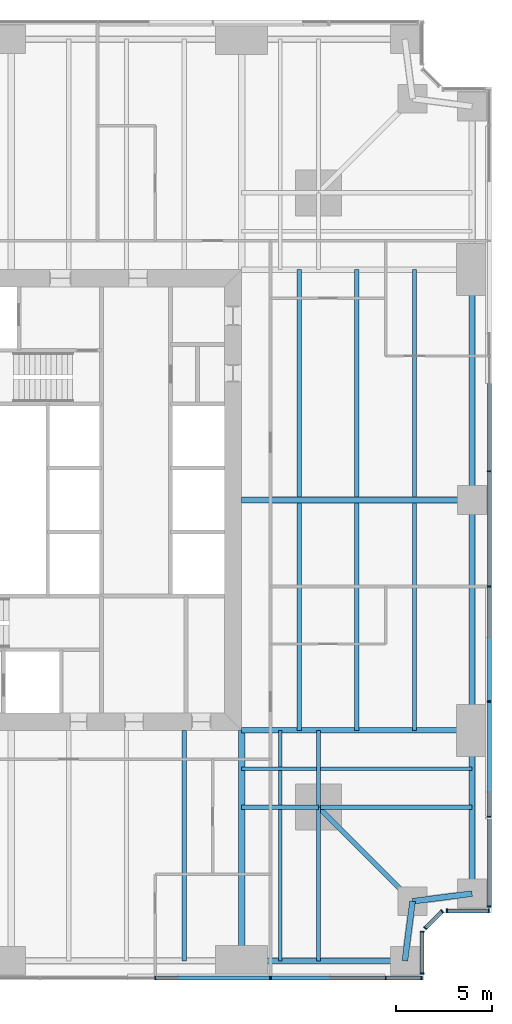
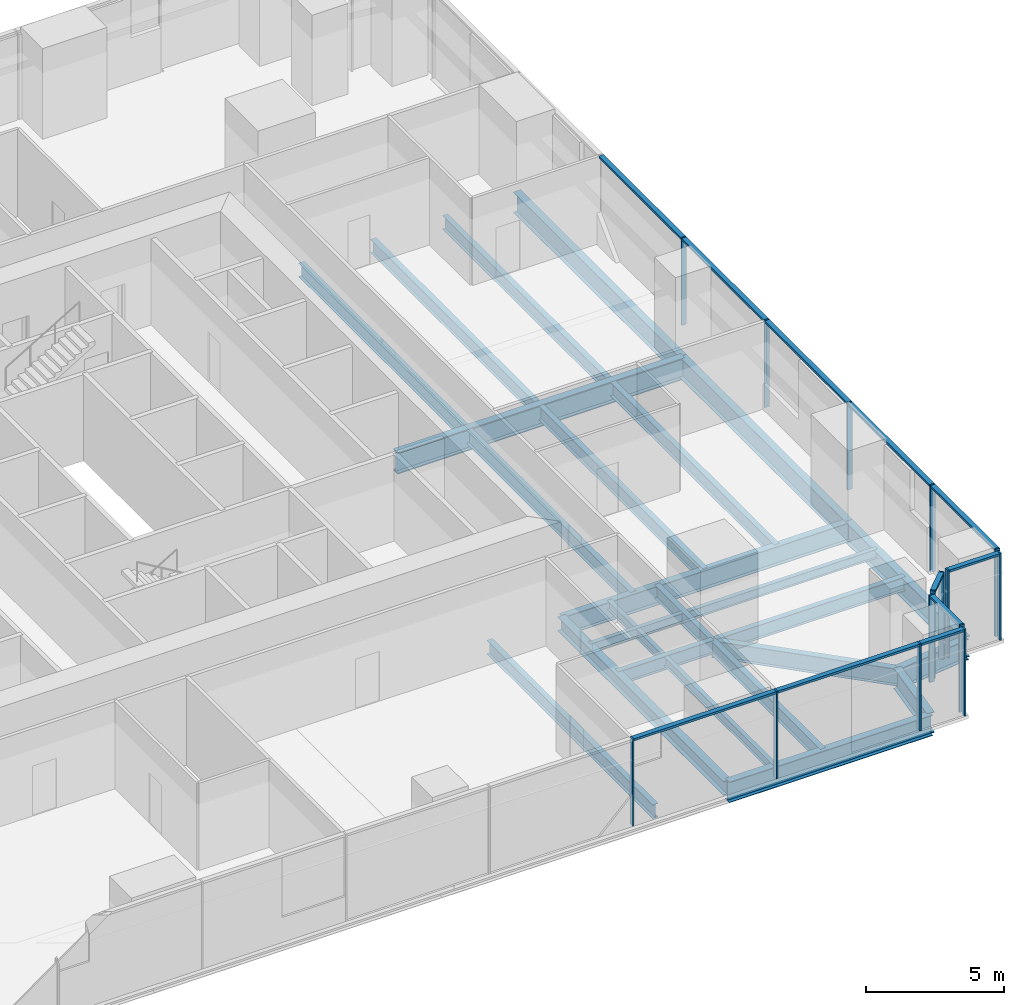
# One storey, part 5 of 15: 26 beams, 26 members, 5 elements without a shape of their own.
"""IFC4 building model written with IfcOpenShell, lengths in metres."""

from ifc_helpers import new_model, si_unit, direction, frame, origin, origin_2d, place, context, subcontext, project, spatial, rectangle, i_section, extrude, material, material_profile, profile_set, type_object, element, aggregate, save


model = new_model("IFC4")

# Units and contexts
model_context = context("Model", 3, precision=1e-05, world=origin(), true_north=direction((0.0, 1.0)))
body_context = subcontext(model_context, "Body", "Model", "MODEL_VIEW")
ifc_project = project(units=[si_unit("LENGTHUNIT", "METRE"), si_unit("AREAUNIT", "SQUARE_METRE"), si_unit("VOLUMEUNIT", "CUBIC_METRE"), si_unit("PLANEANGLEUNIT", "RADIAN"), si_unit("MASSUNIT", "GRAM", prefix="KILO")], contexts=[model_context])

# Site, building, storey
site_placement = place(None, origin())
site = spatial("IfcSite", under=ifc_project, at=site_placement, CompositionType="ELEMENT")
building_placement = place(site_placement, origin())
building = spatial("IfcBuilding", under=site, at=building_placement, Name="Fenwick Lantern Interchange", CompositionType="ELEMENT")
storey_placement = place(building_placement, frame((0.0, 0.0, 51.0)))
storey = spatial("IfcBuildingStorey", under=building, at=storey_placement, Name="L11", CompositionType="ELEMENT", Elevation=51.0)

# Beams
ifc_material_1 = material(Name="Steel ASTM A992 Grade 50", Category="steel")
ifc_material_profile_1 = material_profile(ifc_material_1, i_section(OverallWidth=0.3046875, OverallDepth=0.911865234375, WebThickness=0.015869140625, FlangeThickness=0.02392578125, at=origin_2d()), Name="W36X150")
ifc_profile_set_1 = profile_set([ifc_material_profile_1], Name="Steel ASTM A992 Grade 50")
beam_type_1 = type_object("IfcBeamType", Name="EDGE BEAM W36X150", PredefinedType="SPANDREL", material=ifc_profile_set_1)
beam_1_placement = place(storey_placement, frame((37.0, 1.0, -0.60595703125), z_axis=(1.0, 0.0, 0.0), x_axis=(0.0, 1.0, 0.0)))
element("IfcBeam", 1, at=beam_1_placement, inside=storey, type_object=beam_type_1, Name="L11/FR/S/EB4", PredefinedType="SPANDREL", context=body_context, shape_type="SweptSolid", body=[
    extrude(i_section(OverallWidth=0.3046875, OverallDepth=0.911865234375, WebThickness=0.015869140625, FlangeThickness=0.02392578125, at=origin_2d()), origin(), (0.0, 0.0, 1.0), 8.5),
])
for number, where, z_axis, x_axis, name in (
    (2, (45.5, 1.0, -0.60595703125), (0.127936641807, 0.991782342897, 0.0), (-0.991782342897, 0.127936641807, 0.0), "L11/FR/S/EBR1"),
    (3, (45.89990234375, 4.10009765625, -0.60595703125), (0.991782342897, 0.127936641807, 0.0), (-0.127936641807, 0.991782342897, 0.0), "L11/FR/S/EBR2"),
):
    element("IfcBeam", number, at=place(storey_placement, frame(where, z_axis=z_axis, x_axis=x_axis)), inside=storey, type_object=beam_type_1, Name=name, PredefinedType="SPANDREL", context=body_context, shape_type="SweptSolid", body=[
        extrude(i_section(OverallWidth=0.3046875, OverallDepth=0.911865234375, WebThickness=0.015869140625, FlangeThickness=0.02392578125, at=origin_2d()), origin(), (0.0, 0.0, 1.0), 3.125732421875),
    ])
beam_2_placement = place(storey_placement, frame((49.0, 4.5, -0.60595703125), z_axis=(0.0, 1.0, 0.0), x_axis=(-1.0, 0.0, 0.0)))
element("IfcBeam", 4, at=beam_2_placement, inside=storey, type_object=beam_type_1, Name="L11/FR/E/EB1", PredefinedType="SPANDREL", context=body_context, shape_type="SweptSolid", body=[
    extrude(i_section(OverallWidth=0.3046875, OverallDepth=0.911865234375, WebThickness=0.015869140625, FlangeThickness=0.02392578125, at=origin_2d()), origin(), (0.0, 0.0, 1.0), 8.5),
])
for number, where, z_axis, x_axis, name in (
    (5, (49.0, 13.0, -0.60595703125), (0.0, 1.0, 0.0), (-1.0, 0.0, 0.0), "L11/FR/E/EB2"),
    (6, (49.0, 25.0, -0.60595703125), (0.0, 1.0, 0.0), (-1.0, 0.0, 0.0), "L11/FR/E/EB3"),
):
    element("IfcBeam", number, at=place(storey_placement, frame(where, z_axis=z_axis, x_axis=x_axis)), inside=storey, type_object=beam_type_1, Name=name, PredefinedType="SPANDREL", context=body_context, shape_type="SweptSolid", body=[
        extrude(i_section(OverallWidth=0.3046875, OverallDepth=0.911865234375, WebThickness=0.015869140625, FlangeThickness=0.02392578125, at=origin_2d()), origin(), (0.0, 0.0, 1.0), 12.0),
    ])
ifc_material_profile_2 = material_profile(ifc_material_1, i_section(OverallWidth=0.22900390625, OverallDepth=0.612060546875, WebThickness=0.011962890625, FlangeThickness=0.01953125, at=origin_2d()), Name="W24X84")
ifc_profile_set_2 = profile_set([ifc_material_profile_2], Name="Steel ASTM A992 Grade 50")
beam_type_2 = type_object("IfcBeamType", Name="FLOOR BEAM W24X84", PredefinedType="BEAM", material=ifc_profile_set_2)
beam_3_placement = place(storey_placement, frame((34.0, 1.0, -0.4560546875), z_axis=(0.0, 1.0, 0.0), x_axis=(-1.0, 0.0, 0.0)))
element("IfcBeam", 7, at=beam_3_placement, inside=storey, type_object=beam_type_2, Name="L11/FR/S/R08", PredefinedType="BEAM", context=body_context, shape_type="SweptSolid", body=[
    extrude(i_section(OverallWidth=0.22900390625, OverallDepth=0.612060546875, WebThickness=0.011962890625, FlangeThickness=0.01953125, at=origin_2d()), origin(), (0.0, 0.0, 1.0), 12.0),
])
for number, where, z_axis, x_axis, name in (
    (8, (46.0, 13.0, -0.4560546875), (0.0, 1.0, 0.0), (-1.0, 0.0, 0.0), "L11/FR/E/B01"),
    (9, (43.0, 13.0, -0.4560546875), (0.0, 1.0, 0.0), (-1.0, 0.0, 0.0), "L11/FR/E/B02"),
    (10, (40.0, 13.0, -0.4560546875), (0.0, 1.0, 0.0), (-1.0, 0.0, 0.0), "L11/FR/E/B03"),
    (11, (46.0, 25.155029296875, -0.4560546875), (0.0, 1.0, 0.0), (-1.0, 0.0, 0.0), "L11/FR/E/B04"),
    (12, (43.0, 25.155029296875, -0.4560546875), (0.0, 1.0, 0.0), (-1.0, 0.0, 0.0), "L11/FR/E/B05"),
    (13, (40.0, 25.155029296875, -0.4560546875), (0.0, 1.0, 0.0), (-1.0, 0.0, 0.0), "L11/FR/E/B06"),
):
    element("IfcBeam", number, at=place(storey_placement, frame(where, z_axis=z_axis, x_axis=x_axis)), inside=storey, type_object=beam_type_2, Name=name, PredefinedType="BEAM", context=body_context, shape_type="SweptSolid", body=[
        extrude(i_section(OverallWidth=0.22900390625, OverallDepth=0.612060546875, WebThickness=0.011962890625, FlangeThickness=0.01953125, at=origin_2d()), origin(), (0.0, 0.0, 1.0), 11.844970703125),
    ])
ifc_material_profile_3 = material_profile(ifc_material_1, i_section(OverallWidth=0.177734375, OverallDepth=0.406494140625, WebThickness=0.0078125, FlangeThickness=0.012939453125, at=origin_2d()), Name="W16X40")
ifc_profile_set_3 = profile_set([ifc_material_profile_3], Name="Steel ASTM A992 Grade 50")
beam_type_3 = type_object("IfcBeamType", Name="INFILL BEAM W16X40", PredefinedType="JOIST", material=ifc_profile_set_3)
beam_4_placement = place(storey_placement, frame((49.0, 11.0, -0.353271484375), z_axis=(-1.0, 0.0, 0.0), x_axis=(0.0, -1.0, 0.0)))
element("IfcBeam", 14, at=beam_4_placement, inside=storey, type_object=beam_type_3, Name="L11/FR/E/J1", PredefinedType="JOIST", context=body_context, shape_type="SweptSolid", body=[
    extrude(i_section(OverallWidth=0.177734375, OverallDepth=0.406494140625, WebThickness=0.0078125, FlangeThickness=0.012939453125, at=origin_2d()), origin(), (0.0, 0.0, 1.0), 7.885498046875),
])
beam_5_placement = place(storey_placement, frame((40.885498046875, 11.0, -0.353271484375), z_axis=(-1.0, 0.0, 0.0), x_axis=(0.0, -1.0, 0.0)))
element("IfcBeam", 15, at=beam_5_placement, inside=storey, type_object=beam_type_3, Name="L11/FR/E/J2", PredefinedType="JOIST", context=body_context, shape_type="SweptSolid", body=[
    extrude(i_section(OverallWidth=0.177734375, OverallDepth=0.406494140625, WebThickness=0.0078125, FlangeThickness=0.012939453125, at=origin_2d()), origin(), (0.0, 0.0, 1.0), 3.885498046875),
])
beam_6_placement = place(storey_placement, frame((39.0, 1.0, -0.353271484375), z_axis=(0.0, 1.0, 0.0), x_axis=(-1.0, 0.0, 0.0)))
element("IfcBeam", 16, at=beam_6_placement, inside=storey, type_object=beam_type_3, Name="L11/FR/E/J3", PredefinedType="JOIST", context=body_context, shape_type="SweptSolid", body=[
    extrude(i_section(OverallWidth=0.177734375, OverallDepth=0.406494140625, WebThickness=0.0078125, FlangeThickness=0.012939453125, at=origin_2d()), origin(), (0.0, 0.0, 1.0), 7.885498046875),
])
beam_7_placement = place(storey_placement, frame((39.0, 9.114501953125, -0.353271484375), z_axis=(0.0, 1.0, 0.0), x_axis=(-1.0, 0.0, 0.0)))
element("IfcBeam", 17, at=beam_7_placement, inside=storey, type_object=beam_type_3, Name="L11/FR/E/J4", PredefinedType="JOIST", context=body_context, shape_type="SweptSolid", body=[
    extrude(i_section(OverallWidth=0.177734375, OverallDepth=0.406494140625, WebThickness=0.0078125, FlangeThickness=0.012939453125, at=origin_2d()), origin(), (0.0, 0.0, 1.0), 1.796630859375),
])
beam_8_placement = place(storey_placement, frame((39.0, 11.0888671875, -0.353271484375), z_axis=(0.0, 1.0, 0.0), x_axis=(-1.0, 0.0, 0.0)))
element("IfcBeam", 18, at=beam_8_placement, inside=storey, type_object=beam_type_3, Name="L11/FR/E/J5", PredefinedType="JOIST", context=body_context, shape_type="SweptSolid", body=[
    extrude(i_section(OverallWidth=0.177734375, OverallDepth=0.406494140625, WebThickness=0.0078125, FlangeThickness=0.012939453125, at=origin_2d()), origin(), (0.0, 0.0, 1.0), 1.9111328125),
])
ifc_material_profile_4 = material_profile(ifc_material_1, i_section(OverallWidth=0.22900390625, OverallDepth=0.612060546875, WebThickness=0.011962890625, FlangeThickness=0.01953125, at=origin_2d()), Name="W24X84")
ifc_profile_set_4 = profile_set([ifc_material_profile_4], Name="Steel ASTM A992 Grade 50")
beam_type_4 = type_object("IfcBeamType", Name="MEGA COLUMN BEAM W24X84", PredefinedType="BEAM", material=ifc_profile_set_4)
for number, where, z_axis, x_axis, name in (
    (19, (41.0, 9.0, -0.4560546875), (1.0, 0.0, 0.0), (0.0, 1.0, 0.0), "L11/FR/E/MB1"),
    (20, (41.0, 9.0, -0.4560546875), (0.0, -1.0, 0.0), (1.0, 0.0, 0.0), "L11/FR/E/MB2"),
):
    element("IfcBeam", number, at=place(storey_placement, frame(where, z_axis=z_axis, x_axis=x_axis)), inside=storey, type_object=beam_type_4, Name=name, PredefinedType="BEAM", context=body_context, shape_type="SweptSolid", body=[
        extrude(i_section(OverallWidth=0.22900390625, OverallDepth=0.612060546875, WebThickness=0.011962890625, FlangeThickness=0.01953125, at=origin_2d()), origin(), (0.0, 0.0, 1.0), 8.0),
    ])
for number, where, z_axis, x_axis, name in (
    (21, (41.0, 9.0, -0.4560546875), (0.0, 1.0, 0.0), (-1.0, 0.0, 0.0), "L11/FR/E/MB3"),
    (22, (41.0, 9.0, -0.4560546875), (-1.0, 0.0, 0.0), (0.0, -1.0, 0.0), "L11/FR/E/MB4"),
):
    element("IfcBeam", number, at=place(storey_placement, frame(where, z_axis=z_axis, x_axis=x_axis)), inside=storey, type_object=beam_type_4, Name=name, PredefinedType="BEAM", context=body_context, shape_type="SweptSolid", body=[
        extrude(i_section(OverallWidth=0.22900390625, OverallDepth=0.612060546875, WebThickness=0.011962890625, FlangeThickness=0.01953125, at=origin_2d()), origin(), (0.0, 0.0, 1.0), 4.0),
    ])
ifc_material_profile_5 = material_profile(ifc_material_1, i_section(OverallWidth=0.32763671875, OverallDepth=0.622314453125, WebThickness=0.015380859375, FlangeThickness=0.0244140625, at=origin_2d()), Name="W24X131")
ifc_profile_set_5 = profile_set([ifc_material_profile_5], Name="Steel ASTM A992 Grade 50")
beam_type_5 = type_object("IfcBeamType", Name="MOMENT-CONNECTED GIRDER W24X131", PredefinedType="BEAM", material=ifc_profile_set_5)
beam_9_placement = place(storey_placement, frame((37.0, 1.0, -0.461181640625), z_axis=(0.0, 1.0, 0.0), x_axis=(-1.0, 0.0, 0.0)))
element("IfcBeam", 23, at=beam_9_placement, inside=storey, type_object=beam_type_5, Name="L11/FR/S/R09", PredefinedType="BEAM", context=body_context, shape_type="SweptSolid", body=[
    extrude(i_section(OverallWidth=0.32763671875, OverallDepth=0.622314453125, WebThickness=0.015380859375, FlangeThickness=0.0244140625, at=origin_2d()), origin(), (0.0, 0.0, 1.0), 12.0),
])
ifc_material_profile_6 = material_profile(ifc_material_1, i_section(OverallWidth=0.2919921875, OverallDepth=0.845703125, WebThickness=0.015380859375, FlangeThickness=0.0244140625, at=origin_2d()), Name="W33X141")
ifc_profile_set_6 = profile_set([ifc_material_profile_6], Name="Steel ASTM A992 Grade 50")
beam_type_6 = type_object("IfcBeamType", Name="MOMENT-CONNECTED GIRDER W33X141", PredefinedType="BEAM", material=ifc_profile_set_6)
beam_10_placement = place(storey_placement, frame((49.0, 13.0, -0.572998046875), z_axis=(-1.0, 0.0, 0.0), x_axis=(0.0, -1.0, 0.0)))
element("IfcBeam", 24, at=beam_10_placement, inside=storey, type_object=beam_type_6, Name="L11/FR/E/R01", PredefinedType="BEAM", context=body_context, shape_type="SweptSolid", body=[
    extrude(i_section(OverallWidth=0.2919921875, OverallDepth=0.845703125, WebThickness=0.015380859375, FlangeThickness=0.0244140625, at=origin_2d()), origin(), (0.0, 0.0, 1.0), 12.0),
])
ifc_material_profile_7 = material_profile(ifc_material_1, i_section(OverallWidth=0.309814453125, OverallDepth=0.949951171875, WebThickness=0.0244140625, FlangeThickness=0.0439453125, at=origin_2d()), Name="W36X256")
ifc_profile_set_7 = profile_set([ifc_material_profile_7], Name="Steel ASTM A992 Grade 50")
beam_type_7 = type_object("IfcBeamType", Name="MOMENT-CONNECTED GIRDER W36X256", PredefinedType="BEAM", material=ifc_profile_set_7)
beam_11_placement = place(storey_placement, frame((49.0, 25.0, -0.625), z_axis=(-1.0, 0.0, 0.0), x_axis=(0.0, -1.0, 0.0)))
element("IfcBeam", 25, at=beam_11_placement, inside=storey, type_object=beam_type_7, Name="L11/FR/E/R02", PredefinedType="BEAM", context=body_context, shape_type="SweptSolid", body=[
    extrude(i_section(OverallWidth=0.309814453125, OverallDepth=0.949951171875, WebThickness=0.0244140625, FlangeThickness=0.0439453125, at=origin_2d()), origin(), (0.0, 0.0, 1.0), 12.0),
])
ifc_material_profile_8 = material_profile(ifc_material_1, i_section(OverallWidth=0.2666015625, OverallDepth=0.7568359375, WebThickness=0.013916015625, FlangeThickness=0.019287109375, at=origin_2d()), Name="W30X108")
ifc_profile_set_8 = profile_set([ifc_material_profile_8], Name="Steel ASTM A992 Grade 50")
beam_type_8 = type_object("IfcBeamType", Name="NOTCH BEAM W30X108", PredefinedType="BEAM", material=ifc_profile_set_8)
beam_12_placement = place(storey_placement, frame((41.0, 9.0, -0.528564453125), z_axis=(0.707106781187, -0.707106781187, 0.0), x_axis=(0.707106781187, 0.707106781187, 0.0)))
element("IfcBeam", 26, at=beam_12_placement, inside=storey, type_object=beam_type_8, Name="L11/FR/E/TG", PredefinedType="BEAM", context=body_context, shape_type="SweptSolid", body=[
    extrude(i_section(OverallWidth=0.2666015625, OverallDepth=0.7568359375, WebThickness=0.013916015625, FlangeThickness=0.019287109375, at=origin_2d()), origin(), (0.0, 0.0, 1.0), 6.929443359375),
])

# Curtain wall, members
ifc_material_2 = material(Name="Aluminium curtain wall frame", Category="aluminium")
curtain_wall_type = type_object("IfcCurtainWallType", Name="OFFICE CURTAIN WALL", PredefinedType="USERDEFINED", material=ifc_material_2)
curtain_wall_1_placement = place(storey_placement, origin())
curtain_wall_1 = element("IfcCurtainWall", 27, at=curtain_wall_1_placement, inside=storey, type_object=curtain_wall_type, Name="Office curtain wall 01", ObjectType="OFFICE CURTAIN WALL", PredefinedType="USERDEFINED")
ifc_material_3 = material(Name="Aluminium extrusion", Category="aluminium")
ifc_material_profile_9 = material_profile(ifc_material_3, rectangle(XDim=0.199951171875, YDim=0.06494140625, at=origin_2d()), Name="OFFICE CURTAIN WALL MULLION 65 X 200")
ifc_profile_set_9 = profile_set([ifc_material_profile_9], Name="Aluminium extrusion")
member_type_1 = type_object("IfcMemberType", Name="OFFICE CURTAIN WALL MULLION 65 X 200", PredefinedType="MULLION", material=ifc_profile_set_9)
member_1_placement = place(storey_placement, frame((32.5, 0.10009765625, 0.0), z_axis=(0.0, 0.0, 1.0), x_axis=(0.0, 1.0, 0.0)))
member_1 = element("IfcMember", 28, at=member_1_placement, type_object=member_type_1, Name="L11/CW/01/M05", PredefinedType="MULLION", context=body_context, shape_type="SweptSolid", body=[
    extrude(rectangle(XDim=0.199951171875, YDim=0.06494140625, at=origin_2d()), origin(), (0.0, 0.0, 1.0), 3.85009765625),
])
member_2_placement = place(storey_placement, frame((38.5, 0.10009765625, 0.0), z_axis=(0.0, 0.0, 1.0), x_axis=(0.0, 1.0, 0.0)))
member_2 = element("IfcMember", 29, at=member_2_placement, type_object=member_type_1, Name="L11/CW/01/M06", PredefinedType="MULLION", context=body_context, shape_type="SweptSolid", body=[
    extrude(rectangle(XDim=0.199951171875, YDim=0.06494140625, at=origin_2d()), origin(), (0.0, 0.0, 1.0), 3.85009765625),
])
member_3_placement = place(storey_placement, frame((44.5, 0.10009765625, 0.0), z_axis=(0.0, 0.0, 1.0), x_axis=(0.0, 1.0, 0.0)))
member_3 = element("IfcMember", 30, at=member_3_placement, type_object=member_type_1, Name="L11/CW/01/M07", PredefinedType="MULLION", context=body_context, shape_type="SweptSolid", body=[
    extrude(rectangle(XDim=0.199951171875, YDim=0.06494140625, at=origin_2d()), origin(), (0.0, 0.0, 1.0), 3.85009765625),
])
member_4_placement = place(storey_placement, frame((46.367431640625, 0.10009765625, 0.0), z_axis=(0.0, 0.0, 1.0), x_axis=(0.0, 1.0, 0.0)))
member_4 = element("IfcMember", 31, at=member_4_placement, type_object=member_type_1, Name="L11/CW/01/M08", PredefinedType="MULLION", context=body_context, shape_type="SweptSolid", body=[
    extrude(rectangle(XDim=0.199951171875, YDim=0.06494140625, at=origin_2d()), origin(), (0.0, 0.0, 1.0), 3.85009765625),
])

curtain_wall_2_placement = place(storey_placement, origin())
curtain_wall_2 = element("IfcCurtainWall", 32, at=curtain_wall_2_placement, inside=storey, type_object=curtain_wall_type, Name="Office curtain wall 02", ObjectType="OFFICE CURTAIN WALL", PredefinedType="USERDEFINED")
member_5_placement = place(storey_placement, frame((46.39990234375, 0.33251953125, 0.0), z_axis=(0.0, 0.0, 1.0), x_axis=(-1.0, 0.0, 0.0)))
member_5 = element("IfcMember", 33, at=member_5_placement, type_object=member_type_1, Name="L11/CW/02/M00", PredefinedType="MULLION", context=body_context, shape_type="SweptSolid", body=[
    extrude(rectangle(XDim=0.199951171875, YDim=0.06494140625, at=origin_2d()), origin(), (0.0, 0.0, 1.0), 3.85009765625),
])
member_6_placement = place(storey_placement, frame((46.39990234375, 2.509033203125, 0.0), z_axis=(0.0, 0.0, 1.0), x_axis=(-1.0, 0.0, 0.0)))
member_6 = element("IfcMember", 34, at=member_6_placement, type_object=member_type_1, Name="L11/CW/02/M01", PredefinedType="MULLION", context=body_context, shape_type="SweptSolid", body=[
    extrude(rectangle(XDim=0.199951171875, YDim=0.06494140625, at=origin_2d()), origin(), (0.0, 0.0, 1.0), 3.85009765625),
])

curtain_wall_3_placement = place(storey_placement, origin())
curtain_wall_3 = element("IfcCurtainWall", 35, at=curtain_wall_3_placement, inside=storey, type_object=curtain_wall_type, Name="Office curtain wall 03", ObjectType="OFFICE CURTAIN WALL", PredefinedType="USERDEFINED")
member_7_placement = place(storey_placement, frame((46.564453125, 2.705810546875, 0.0), z_axis=(0.0, 0.0, 1.0), x_axis=(-0.707106781187, 0.707106781187, 0.0)))
member_7 = element("IfcMember", 36, at=member_7_placement, type_object=member_type_1, Name="L11/CW/03/M00", PredefinedType="MULLION", context=body_context, shape_type="SweptSolid", body=[
    extrude(rectangle(XDim=0.199951171875, YDim=0.06494140625, at=origin_2d()), origin(), (0.0, 0.0, 1.0), 3.85009765625),
])
member_8_placement = place(storey_placement, frame((47.435546875, 3.576904296875, 0.0), z_axis=(0.0, 0.0, 1.0), x_axis=(-0.707106781187, 0.707106781187, 0.0)))
member_8 = element("IfcMember", 37, at=member_8_placement, type_object=member_type_1, Name="L11/CW/03/M01", PredefinedType="MULLION", context=body_context, shape_type="SweptSolid", body=[
    extrude(rectangle(XDim=0.199951171875, YDim=0.06494140625, at=origin_2d()), origin(), (0.0, 0.0, 1.0), 3.85009765625),
])

curtain_wall_4_placement = place(storey_placement, origin())
curtain_wall_4 = element("IfcCurtainWall", 38, at=curtain_wall_4_placement, inside=storey, type_object=curtain_wall_type, Name="Office curtain wall 04", ObjectType="OFFICE CURTAIN WALL", PredefinedType="USERDEFINED")
member_9_placement = place(storey_placement, frame((47.691162109375, 3.60009765625, 0.0), z_axis=(0.0, 0.0, 1.0), x_axis=(0.0, 1.0, 0.0)))
member_9 = element("IfcMember", 39, at=member_9_placement, type_object=member_type_1, Name="L11/CW/04/M00", PredefinedType="MULLION", context=body_context, shape_type="SweptSolid", body=[
    extrude(rectangle(XDim=0.199951171875, YDim=0.06494140625, at=origin_2d()), origin(), (0.0, 0.0, 1.0), 3.85009765625),
])
member_10_placement = place(storey_placement, frame((49.867431640625, 3.60009765625, 0.0), z_axis=(0.0, 0.0, 1.0), x_axis=(0.0, 1.0, 0.0)))
member_10 = element("IfcMember", 40, at=member_10_placement, type_object=member_type_1, Name="L11/CW/04/M01", PredefinedType="MULLION", context=body_context, shape_type="SweptSolid", body=[
    extrude(rectangle(XDim=0.199951171875, YDim=0.06494140625, at=origin_2d()), origin(), (0.0, 0.0, 1.0), 3.85009765625),
])

curtain_wall_5_placement = place(storey_placement, origin())
curtain_wall_5 = element("IfcCurtainWall", 41, at=curtain_wall_5_placement, inside=storey, type_object=curtain_wall_type, Name="Office curtain wall 05", ObjectType="OFFICE CURTAIN WALL", PredefinedType="USERDEFINED")
member_11_placement = place(storey_placement, frame((49.89990234375, 3.83251953125, 0.0), z_axis=(0.0, 0.0, 1.0), x_axis=(-1.0, 0.0, 0.0)))
member_11 = element("IfcMember", 42, at=member_11_placement, type_object=member_type_1, Name="L11/CW/05/M00", PredefinedType="MULLION", context=body_context, shape_type="SweptSolid", body=[
    extrude(rectangle(XDim=0.199951171875, YDim=0.06494140625, at=origin_2d()), origin(), (0.0, 0.0, 1.0), 3.85009765625),
])
member_12_placement = place(storey_placement, frame((49.89990234375, 8.5, 0.0), z_axis=(0.0, 0.0, 1.0), x_axis=(-1.0, 0.0, 0.0)))
member_12 = element("IfcMember", 43, at=member_12_placement, type_object=member_type_1, Name="L11/CW/05/M01", PredefinedType="MULLION", context=body_context, shape_type="SweptSolid", body=[
    extrude(rectangle(XDim=0.199951171875, YDim=0.06494140625, at=origin_2d()), origin(), (0.0, 0.0, 1.0), 3.85009765625),
])
member_13_placement = place(storey_placement, frame((49.89990234375, 14.5, 0.0), z_axis=(0.0, 0.0, 1.0), x_axis=(-1.0, 0.0, 0.0)))
member_13 = element("IfcMember", 44, at=member_13_placement, type_object=member_type_1, Name="L11/CW/05/M02", PredefinedType="MULLION", context=body_context, shape_type="SweptSolid", body=[
    extrude(rectangle(XDim=0.199951171875, YDim=0.06494140625, at=origin_2d()), origin(), (0.0, 0.0, 1.0), 3.85009765625),
])
member_14_placement = place(storey_placement, frame((49.89990234375, 20.5, 0.0), z_axis=(0.0, 0.0, 1.0), x_axis=(-1.0, 0.0, 0.0)))
member_14 = element("IfcMember", 45, at=member_14_placement, type_object=member_type_1, Name="L11/CW/05/M03", PredefinedType="MULLION", context=body_context, shape_type="SweptSolid", body=[
    extrude(rectangle(XDim=0.199951171875, YDim=0.06494140625, at=origin_2d()), origin(), (0.0, 0.0, 1.0), 3.85009765625),
])
member_15_placement = place(storey_placement, frame((49.89990234375, 26.5, 0.0), z_axis=(0.0, 0.0, 1.0), x_axis=(-1.0, 0.0, 0.0)))
member_15 = element("IfcMember", 46, at=member_15_placement, type_object=member_type_1, Name="L11/CW/05/M04", PredefinedType="MULLION", context=body_context, shape_type="SweptSolid", body=[
    extrude(rectangle(XDim=0.199951171875, YDim=0.06494140625, at=origin_2d()), origin(), (0.0, 0.0, 1.0), 3.85009765625),
])

# Member
ifc_material_profile_10 = material_profile(ifc_material_3, rectangle(XDim=0.199951171875, YDim=0.10009765625, at=origin_2d()), Name="OFFICE CURTAIN WALL TRANSOM 100 X 200")
ifc_profile_set_10 = profile_set([ifc_material_profile_10], Name="Aluminium extrusion")
member_type_2 = type_object("IfcMemberType", Name="OFFICE CURTAIN WALL TRANSOM 100 X 200", PredefinedType="MULLION", material=ifc_profile_set_10)
member_16_placement = place(storey_placement, frame((32.532470703125, 0.10009765625, 3.800048828125), z_axis=(1.0, 0.0, 0.0), x_axis=(0.0, 1.0, 0.0)))
member_16 = element("IfcMember", 47, at=member_16_placement, type_object=member_type_2, Name="L11/CW/01/T05", PredefinedType="MULLION", context=body_context, shape_type="SweptSolid", body=[
    extrude(rectangle(XDim=0.199951171875, YDim=0.10009765625, at=origin_2d()), origin(), (0.0, 0.0, 1.0), 5.93505859375),
])

member_17_placement = place(storey_placement, frame((38.532470703125, 0.10009765625, 3.800048828125), z_axis=(1.0, 0.0, 0.0), x_axis=(0.0, 1.0, 0.0)))
member_17 = element("IfcMember", 48, at=member_17_placement, type_object=member_type_2, Name="L11/CW/01/T06", PredefinedType="MULLION", context=body_context, shape_type="SweptSolid", body=[
    extrude(rectangle(XDim=0.199951171875, YDim=0.10009765625, at=origin_2d()), origin(), (0.0, 0.0, 1.0), 5.93505859375),
])

member_18_placement = place(storey_placement, frame((44.532470703125, 0.10009765625, 3.800048828125), z_axis=(1.0, 0.0, 0.0), x_axis=(0.0, 1.0, 0.0)))
member_18 = element("IfcMember", 49, at=member_18_placement, type_object=member_type_2, Name="L11/CW/01/T07", PredefinedType="MULLION", context=body_context, shape_type="SweptSolid", body=[
    extrude(rectangle(XDim=0.199951171875, YDim=0.10009765625, at=origin_2d()), origin(), (0.0, 0.0, 1.0), 1.802490234375),
])

aggregate(curtain_wall_1, [member_1, member_2, member_3, member_4, member_16, member_17, member_18])

member_19_placement = place(storey_placement, frame((46.39990234375, 0.364990234375, 3.800048828125), z_axis=(0.0, 1.0, 0.0), x_axis=(-1.0, 0.0, 0.0)))
member_19 = element("IfcMember", 50, at=member_19_placement, type_object=member_type_2, Name="L11/CW/02/T00", PredefinedType="MULLION", context=body_context, shape_type="SweptSolid", body=[
    extrude(rectangle(XDim=0.199951171875, YDim=0.10009765625, at=origin_2d()), origin(), (0.0, 0.0, 1.0), 2.111328125),
])

aggregate(curtain_wall_2, [member_5, member_6, member_19])

member_20_placement = place(storey_placement, frame((46.58740234375, 2.728759765625, 3.800048828125), z_axis=(0.707106781187, 0.707106781187, 0.0), x_axis=(-0.707106781187, 0.707106781187, 0.0)))
member_20 = element("IfcMember", 51, at=member_20_placement, type_object=member_type_2, Name="L11/CW/03/T00", PredefinedType="MULLION", context=body_context, shape_type="SweptSolid", body=[
    extrude(rectangle(XDim=0.199951171875, YDim=0.10009765625, at=origin_2d()), origin(), (0.0, 0.0, 1.0), 1.1669921875),
])

aggregate(curtain_wall_3, [member_7, member_8, member_20])

member_21_placement = place(storey_placement, frame((47.7236328125, 3.60009765625, 3.800048828125), z_axis=(1.0, 0.0, 0.0), x_axis=(0.0, 1.0, 0.0)))
member_21 = element("IfcMember", 52, at=member_21_placement, type_object=member_type_2, Name="L11/CW/04/T00", PredefinedType="MULLION", context=body_context, shape_type="SweptSolid", body=[
    extrude(rectangle(XDim=0.199951171875, YDim=0.10009765625, at=origin_2d()), origin(), (0.0, 0.0, 1.0), 2.111328125),
])

aggregate(curtain_wall_4, [member_9, member_10, member_21])

member_22_placement = place(storey_placement, frame((49.89990234375, 3.864990234375, 3.800048828125), z_axis=(0.0, 1.0, 0.0), x_axis=(-1.0, 0.0, 0.0)))
member_22 = element("IfcMember", 53, at=member_22_placement, type_object=member_type_2, Name="L11/CW/05/T00", PredefinedType="MULLION", context=body_context, shape_type="SweptSolid", body=[
    extrude(rectangle(XDim=0.199951171875, YDim=0.10009765625, at=origin_2d()), origin(), (0.0, 0.0, 1.0), 4.6025390625),
])

member_23_placement = place(storey_placement, frame((49.89990234375, 8.532470703125, 3.800048828125), z_axis=(0.0, 1.0, 0.0), x_axis=(-1.0, 0.0, 0.0)))
member_23 = element("IfcMember", 54, at=member_23_placement, type_object=member_type_2, Name="L11/CW/05/T01", PredefinedType="MULLION", context=body_context, shape_type="SweptSolid", body=[
    extrude(rectangle(XDim=0.199951171875, YDim=0.10009765625, at=origin_2d()), origin(), (0.0, 0.0, 1.0), 5.93505859375),
])

member_24_placement = place(storey_placement, frame((49.89990234375, 14.532470703125, 3.800048828125), z_axis=(0.0, 1.0, 0.0), x_axis=(-1.0, 0.0, 0.0)))
member_24 = element("IfcMember", 55, at=member_24_placement, type_object=member_type_2, Name="L11/CW/05/T02", PredefinedType="MULLION", context=body_context, shape_type="SweptSolid", body=[
    extrude(rectangle(XDim=0.199951171875, YDim=0.10009765625, at=origin_2d()), origin(), (0.0, 0.0, 1.0), 5.93505859375),
])

member_25_placement = place(storey_placement, frame((49.89990234375, 20.532470703125, 3.800048828125), z_axis=(0.0, 1.0, 0.0), x_axis=(-1.0, 0.0, 0.0)))
member_25 = element("IfcMember", 56, at=member_25_placement, type_object=member_type_2, Name="L11/CW/05/T03", PredefinedType="MULLION", context=body_context, shape_type="SweptSolid", body=[
    extrude(rectangle(XDim=0.199951171875, YDim=0.10009765625, at=origin_2d()), origin(), (0.0, 0.0, 1.0), 5.93505859375),
])

member_26_placement = place(storey_placement, frame((49.89990234375, 26.532470703125, 3.800048828125), z_axis=(0.0, 1.0, 0.0), x_axis=(-1.0, 0.0, 0.0)))
member_26 = element("IfcMember", 57, at=member_26_placement, type_object=member_type_2, Name="L11/CW/05/T04", PredefinedType="MULLION", context=body_context, shape_type="SweptSolid", body=[
    extrude(rectangle(XDim=0.199951171875, YDim=0.10009765625, at=origin_2d()), origin(), (0.0, 0.0, 1.0), 5.93505859375),
])

aggregate(curtain_wall_5, [member_11, member_12, member_13, member_14, member_15, member_22, member_23, member_24, member_25, member_26])

save(model, "model.ifc")
